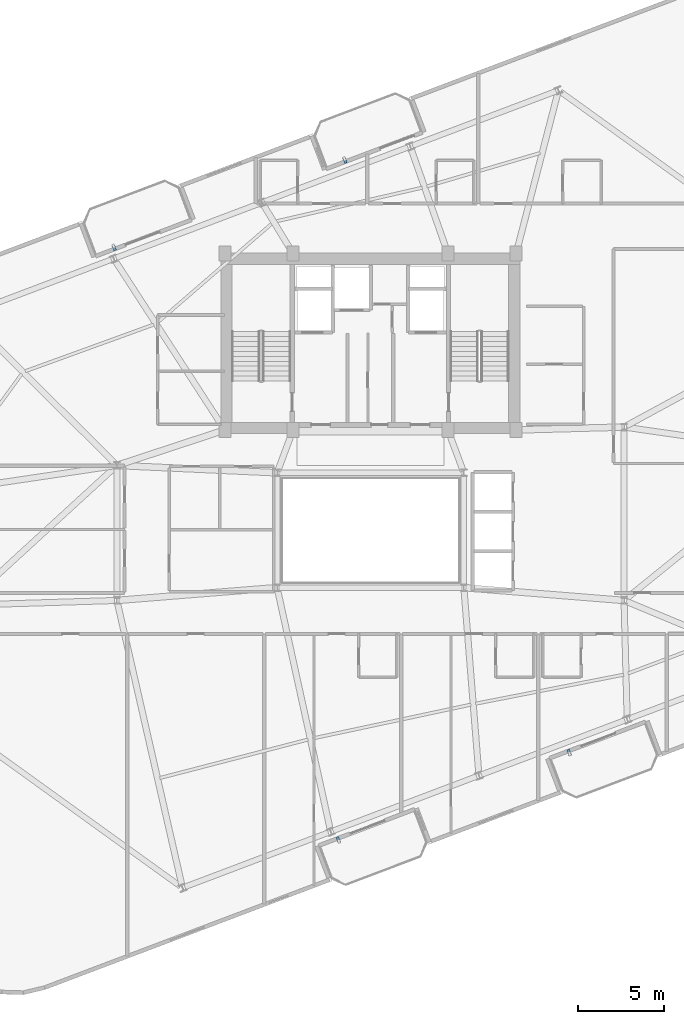
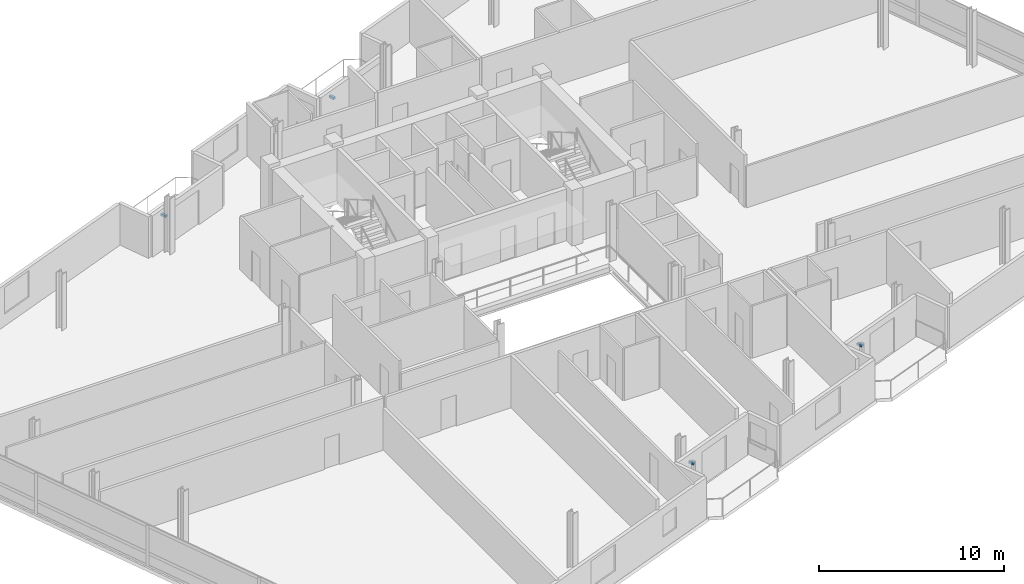
# One storey, part 18 of 20: 4 discrete accessories.
"""IFC4 building model written with IfcOpenShell, lengths in metres."""

from ifc_helpers import new_model, si_unit, direction, frame, origin, origin_2d, place, context, subcontext, project, spatial, rectangle, extrude, source, transform, mapped, material, type_object, element, save


model = new_model("IFC4")

# Units and contexts
model_context = context("Model", 3, precision=1e-05, world=origin(), true_north=direction((0.0, 1.0)))
body_context = subcontext(model_context, "Body", "Model", "MODEL_VIEW")
ifc_project = project(units=[si_unit("LENGTHUNIT", "METRE"), si_unit("AREAUNIT", "SQUARE_METRE"), si_unit("VOLUMEUNIT", "CUBIC_METRE"), si_unit("PLANEANGLEUNIT", "RADIAN"), si_unit("MASSUNIT", "GRAM", prefix="KILO")], contexts=[model_context])

# Site, building, storey
site_placement = place(None, origin())
site = spatial("IfcSite", under=ifc_project, at=site_placement, CompositionType="ELEMENT")
building_placement = place(site_placement, origin())
building = spatial("IfcBuilding", under=site, at=building_placement, Name="Varnelok Gate Tower", CompositionType="ELEMENT")
storey_placement = place(building_placement, frame((0.0, 0.0, 234.89990234375)))
storey = spatial("IfcBuildingStorey", under=building, at=storey_placement, Name="L60", CompositionType="ELEMENT", Elevation=234.89990234375)

# Discrete accessories
ifc_material = material(Name="Structural Steel ASTM A500 Grade C", Category="steel")
discrete_accessory_type = type_object("IfcDiscreteAccessoryType", Name="ACC-BAGUETTE-BRK", PredefinedType="BRACKET", material=ifc_material)
shared_shape = source(origin(), body_context, "Body", "SweptSolid", [
    extrude(rectangle(XDim=0.159912109375, YDim=0.340087890625, at=origin_2d()), origin(), (0.0, 0.0, 1.0), 0.139892578125),
])
for number, where, z_axis, x_axis, name in (
    (1, (37.322509765625, 4.83984375, 1.97998046875), (0.0, 0.0, 1.0), (0.935221751401, 0.354062530786, 0.0), "L60 Terracotta Baguette Bracket 1.1"),
    (2, (50.789794921875, 9.9384765625, 1.97998046875), (0.0, 0.0, 1.0), (0.935221751401, 0.354062530786, 0.0), "L60 Terracotta Baguette Bracket 2.1"),
    (3, (24.243408203125, 39.386962890625, 1.97998046875), (0.0, 0.0, 1.0), (0.935221751401, 0.354062530786, 0.0), "L60 Terracotta Baguette Bracket 3.1"),
    (4, (37.710693359375, 44.485595703125, 1.97998046875), (0.0, 0.0, 1.0), (0.935221751401, 0.354062530786, 0.0), "L60 Terracotta Baguette Bracket 4.1"),
):
    element("IfcDiscreteAccessory", number, at=place(storey_placement, frame(where, z_axis=z_axis, x_axis=x_axis)), inside=storey, type_object=discrete_accessory_type, Name=name, PredefinedType="BRACKET", context=body_context, shape_type="MappedRepresentation", body=[
        mapped(shared_shape, transform((0.0, 0.0, 0.0), scale=1.0)),
    ])

save(model, "model.ifc")
